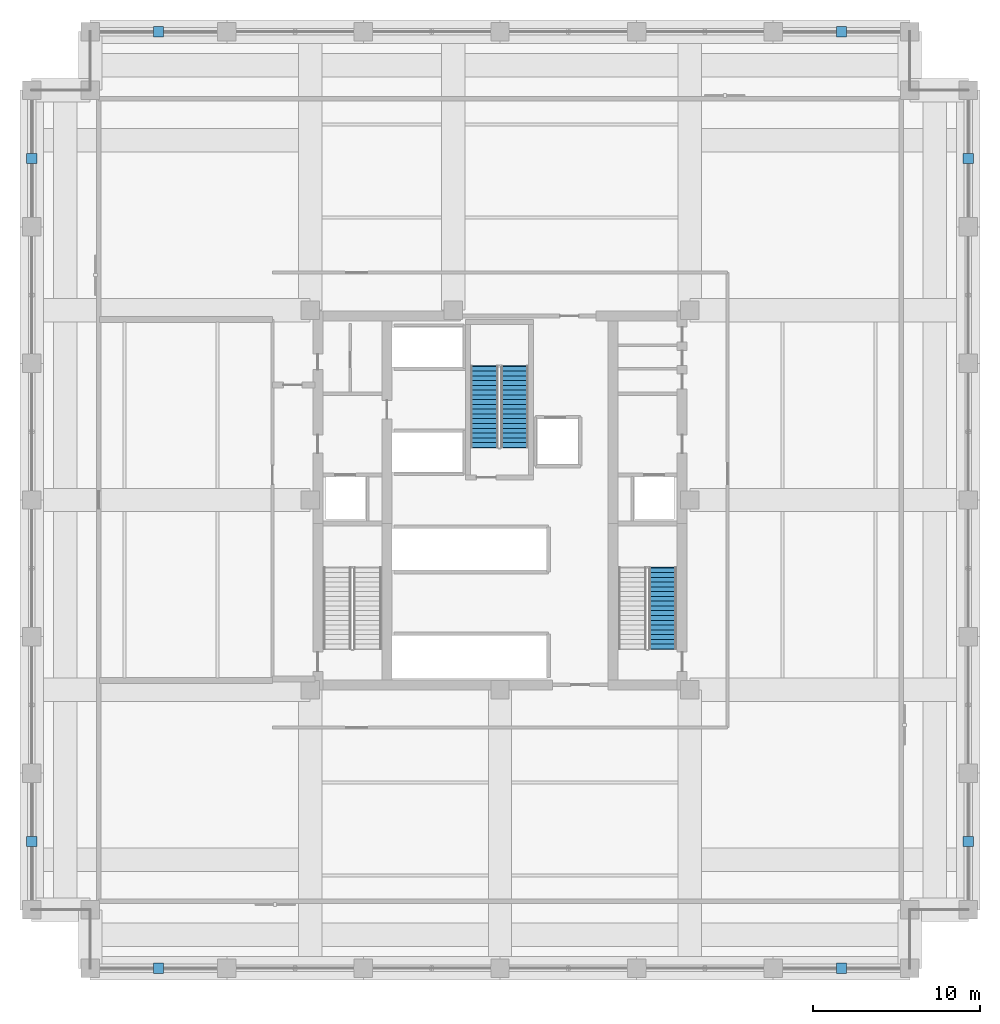
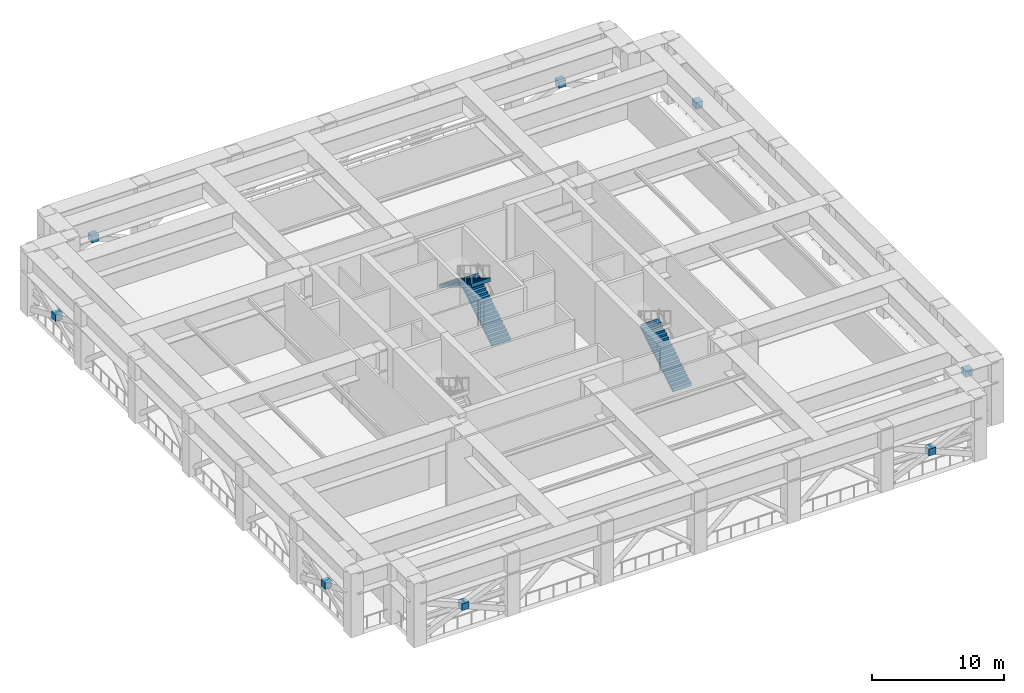
# One storey, part 5 of 12: 8 discrete accessories, 3 stair flights, 2 elements without a shape of their own.
"""IFC4 building model written with IfcOpenShell, lengths in metres."""

from ifc_helpers import new_model, si_unit, direction, frame, origin, origin_2d, place, context, subcontext, project, spatial, polyline, rectangle, outline, extrude, material, type_object, element, aggregate, save


model = new_model("IFC4")

# Units and contexts
model_context = context("Model", 3, precision=1e-05, world=origin(), true_north=direction((0.0, 1.0)))
body_context = subcontext(model_context, "Body", "Model", "MODEL_VIEW")
ifc_project = project(units=[si_unit("LENGTHUNIT", "METRE"), si_unit("AREAUNIT", "SQUARE_METRE"), si_unit("VOLUMEUNIT", "CUBIC_METRE"), si_unit("PLANEANGLEUNIT", "RADIAN"), si_unit("MASSUNIT", "GRAM", prefix="KILO")], contexts=[model_context])

# Site, building, storey
site_placement = place(None, origin())
site = spatial("IfcSite", under=ifc_project, at=site_placement, CompositionType="ELEMENT")
building_placement = place(site_placement, origin())
building = spatial("IfcBuilding", under=site, at=building_placement, Name="Nhamokura Convention Tower", CompositionType="ELEMENT")
storey_placement = place(building_placement, frame((0.0, 0.0, 99.75)))
storey = spatial("IfcBuildingStorey", under=building, at=storey_placement, Name="L24", CompositionType="ELEMENT", Elevation=99.75)

# Stair, stair flight
ifc_material_1 = material(Name="Concrete C40/50", Category="concrete")
stair_type = type_object("IfcStairType", Name="TowerCoreStair_1650", PredefinedType="HALF_TURN_STAIR", material=ifc_material_1)
stair_1_placement = place(storey_placement, origin())
stair_1 = element("IfcStair", 1, at=stair_1_placement, inside=storey, type_object=stair_type, Name="L24 East Core Smokeproof Stair ST-02", PredefinedType="HALF_TURN_STAIR")
ifc_material_2 = material(Name="Concrete C40/50", Category="concrete")
stair_flight_type = type_object("IfcStairFlightType", Name="TowerCoreStair_1650_Flight", PredefinedType="STRAIGHT", material=ifc_material_2)
stair_flight_1_placement = place(storey_placement, frame((41.72509765625, 23.10009765625, 0.0), z_axis=(0.0, 0.0, 1.0), x_axis=(0.0, 1.0, 0.0)))
stair_flight_1 = element("IfcStairFlight", 2, at=stair_flight_1_placement, type_object=stair_flight_type, Name="ST-02 flight 1", NumberOfRisers=18, NumberOfTreads=17, PredefinedType="STRAIGHT", RiserHeight=0.175, TreadLength=0.285, context=body_context, shape_type="SweptSolid", body=[
    extrude(outline(polyline([(-0.0419921875, 0.0), (0.0, 0.175048828125), (0.284912109375, 0.175048828125), (0.284912109375, 0.35009765625), (0.570068359375, 0.35009765625), (0.570068359375, 0.52490234375), (0.85498046875, 0.52490234375), (0.85498046875, 0.699951171875), (1.139892578125, 0.699951171875), (1.139892578125, 0.875), (1.425048828125, 0.875), (1.425048828125, 1.050048828125), (1.7099609375, 1.050048828125), (1.7099609375, 1.22509765625), (1.9951171875, 1.22509765625), (1.9951171875, 1.39990234375), (2.280029296875, 1.39990234375), (2.280029296875, 1.574951171875), (2.56494140625, 1.574951171875), (2.56494140625, 1.75), (2.85009765625, 1.75), (2.85009765625, 1.925048828125), (3.135009765625, 1.925048828125), (3.135009765625, 2.10009765625), (3.419921875, 2.10009765625), (3.419921875, 2.27490234375), (3.705078125, 2.27490234375), (3.705078125, 2.449951171875), (3.989990234375, 2.449951171875), (3.989990234375, 2.625), (4.27490234375, 2.625), (4.27490234375, 2.800048828125), (4.56005859375, 2.800048828125), (4.56005859375, 2.97509765625), (4.844970703125, 2.97509765625), (4.844970703125, 3.14990234375), (4.886962890625, 3.14990234375), (4.886962890625, 2.799072265625), (4.844970703125, 2.799072265625), (0.286376953125, 0.0), (0.02001953125, -0.1298828125), (-0.0419921875, -0.1298828125), (-0.0419921875, 0.0)])), frame((0.0, 0.824951171875, 0.0), z_axis=(0.0, -1.0, 0.0), x_axis=(1.0, 0.0, 0.0)), (0.0, 0.0, 1.0), 1.64990234375),
])
aggregate(stair_1, [stair_flight_1])

# Stair, stair flights
stair_2_placement = place(storey_placement, origin())
stair_2 = element("IfcStair", 3, at=stair_2_placement, inside=storey, type_object=stair_type, Name="L24 North Core Smokeproof Stair ST-03", PredefinedType="HALF_TURN_STAIR")
stair_flight_2_placement = place(storey_placement, frame((32.875, 35.14990234375, 0.0), z_axis=(0.0, 0.0, 1.0), x_axis=(0.0, 1.0, 0.0)))
stair_flight_2 = element("IfcStairFlight", 4, at=stair_flight_2_placement, type_object=stair_flight_type, Name="ST-03 flight 1", NumberOfRisers=18, NumberOfTreads=17, PredefinedType="STRAIGHT", RiserHeight=0.175, TreadLength=0.285, context=body_context, shape_type="SweptSolid", body=[
    extrude(outline(polyline([(-0.0419921875, 0.0), (0.0, 0.175048828125), (0.284912109375, 0.175048828125), (0.284912109375, 0.35009765625), (0.570068359375, 0.35009765625), (0.570068359375, 0.52490234375), (0.85498046875, 0.52490234375), (0.85498046875, 0.699951171875), (1.139892578125, 0.699951171875), (1.139892578125, 0.875), (1.425048828125, 0.875), (1.425048828125, 1.050048828125), (1.7099609375, 1.050048828125), (1.7099609375, 1.22509765625), (1.9951171875, 1.22509765625), (1.9951171875, 1.39990234375), (2.280029296875, 1.39990234375), (2.280029296875, 1.574951171875), (2.56494140625, 1.574951171875), (2.56494140625, 1.75), (2.85009765625, 1.75), (2.85009765625, 1.925048828125), (3.135009765625, 1.925048828125), (3.135009765625, 2.10009765625), (3.419921875, 2.10009765625), (3.419921875, 2.27490234375), (3.705078125, 2.27490234375), (3.705078125, 2.449951171875), (3.989990234375, 2.449951171875), (3.989990234375, 2.625), (4.27490234375, 2.625), (4.27490234375, 2.800048828125), (4.56005859375, 2.800048828125), (4.56005859375, 2.97509765625), (4.844970703125, 2.97509765625), (4.844970703125, 3.14990234375), (4.886962890625, 3.14990234375), (4.886962890625, 2.799072265625), (4.844970703125, 2.799072265625), (0.286376953125, 0.0), (0.02001953125, -0.1298828125), (-0.0419921875, -0.1298828125), (-0.0419921875, 0.0)])), frame((0.0, 0.824951171875, 0.0), z_axis=(0.0, -1.0, 0.0), x_axis=(1.0, 0.0, 0.0)), (0.0, 0.0, 1.0), 1.64990234375),
])
stair_flight_3_placement = place(storey_placement, frame((31.074951171875, 39.9951171875, 3.14990234375), z_axis=(0.0, 0.0, 1.0), x_axis=(0.0, -1.0, 0.0)))
stair_flight_3 = element("IfcStairFlight", 5, at=stair_flight_3_placement, type_object=stair_flight_type, Name="ST-03 flight 2", NumberOfRisers=18, NumberOfTreads=17, PredefinedType="STRAIGHT", RiserHeight=0.175, TreadLength=0.285, context=body_context, shape_type="SweptSolid", body=[
    extrude(outline(polyline([(-0.0419921875, 0.0), (0.0, 0.175048828125), (0.284912109375, 0.175048828125), (0.284912109375, 0.35009765625), (0.570068359375, 0.35009765625), (0.570068359375, 0.52490234375), (0.85498046875, 0.52490234375), (0.85498046875, 0.699951171875), (1.139892578125, 0.699951171875), (1.139892578125, 0.875), (1.425048828125, 0.875), (1.425048828125, 1.050048828125), (1.7099609375, 1.050048828125), (1.7099609375, 1.22509765625), (1.9951171875, 1.22509765625), (1.9951171875, 1.39990234375), (2.280029296875, 1.39990234375), (2.280029296875, 1.574951171875), (2.56494140625, 1.574951171875), (2.56494140625, 1.75), (2.85009765625, 1.75), (2.85009765625, 1.925048828125), (3.135009765625, 1.925048828125), (3.135009765625, 2.10009765625), (3.419921875, 2.10009765625), (3.419921875, 2.27490234375), (3.705078125, 2.27490234375), (3.705078125, 2.449951171875), (3.989990234375, 2.449951171875), (3.989990234375, 2.625), (4.27490234375, 2.625), (4.27490234375, 2.800048828125), (4.56005859375, 2.800048828125), (4.56005859375, 2.97509765625), (4.844970703125, 2.97509765625), (4.844970703125, 3.14990234375), (4.886962890625, 3.14990234375), (4.886962890625, 2.799072265625), (4.844970703125, 2.799072265625), (0.286376953125, 0.0), (0.02001953125, -0.1298828125), (-0.0419921875, -0.1298828125), (-0.0419921875, 0.0)])), frame((0.0, 0.824951171875, 0.0), z_axis=(0.0, -1.0, 0.0), x_axis=(1.0, 0.0, 0.0)), (0.0, 0.0, 1.0), 1.64990234375),
])
aggregate(stair_2, [stair_flight_2, stair_flight_3])

# Discrete accessories
ifc_material_3 = material(Name="Steel ASTM A572 Gr 50", Category="steel")
discrete_accessory_type = type_object("IfcDiscreteAccessoryType", Name="FacadeOutstandBracket", PredefinedType="BRACKET", material=ifc_material_3)
for number, where, z_axis, x_axis, name in (
    (6, (11.583251953125, 4.0, 1.780029296875), (0.0, 0.0, 1.0), (1.0, 0.0, 0.0), "L24 Outrigger X-Brace Crossing Node Gusset OUT-S0"),
    (7, (52.416748046875, 4.0, 1.780029296875), (0.0, 0.0, 1.0), (1.0, 0.0, 0.0), "L24 Outrigger X-Brace Crossing Node Gusset OUT-S5"),
    (8, (11.583251953125, 60.0, 1.780029296875), (0.0, 0.0, 1.0), (1.0, 0.0, 0.0), "L24 Outrigger X-Brace Crossing Node Gusset OUT-N0"),
    (9, (52.416748046875, 60.0, 1.780029296875), (0.0, 0.0, 1.0), (1.0, 0.0, 0.0), "L24 Outrigger X-Brace Crossing Node Gusset OUT-N5"),
    (10, (4.0, 11.583251953125, 1.780029296875), (0.0, 0.0, 1.0), (1.0, 0.0, 0.0), "L24 Outrigger X-Brace Crossing Node Gusset OUT-W0"),
    (11, (4.0, 52.416748046875, 1.780029296875), (0.0, 0.0, 1.0), (1.0, 0.0, 0.0), "L24 Outrigger X-Brace Crossing Node Gusset OUT-W5"),
    (12, (60.0, 11.583251953125, 1.780029296875), (0.0, 0.0, 1.0), (1.0, 0.0, 0.0), "L24 Outrigger X-Brace Crossing Node Gusset OUT-E0"),
    (13, (60.0, 52.416748046875, 1.780029296875), (0.0, 0.0, 1.0), (1.0, 0.0, 0.0), "L24 Outrigger X-Brace Crossing Node Gusset OUT-E5"),
):
    element("IfcDiscreteAccessory", number, at=place(storey_placement, frame(where, z_axis=z_axis, x_axis=x_axis)), inside=storey, type_object=discrete_accessory_type, Name=name, PredefinedType="BRACKET", context=body_context, shape_type="SweptSolid", body=[
        extrude(rectangle(XDim=0.6201171875, YDim=0.6201171875, at=origin_2d()), origin(), (0.0, 0.0, 1.0), 0.6201171875),
    ])

save(model, "model.ifc")
